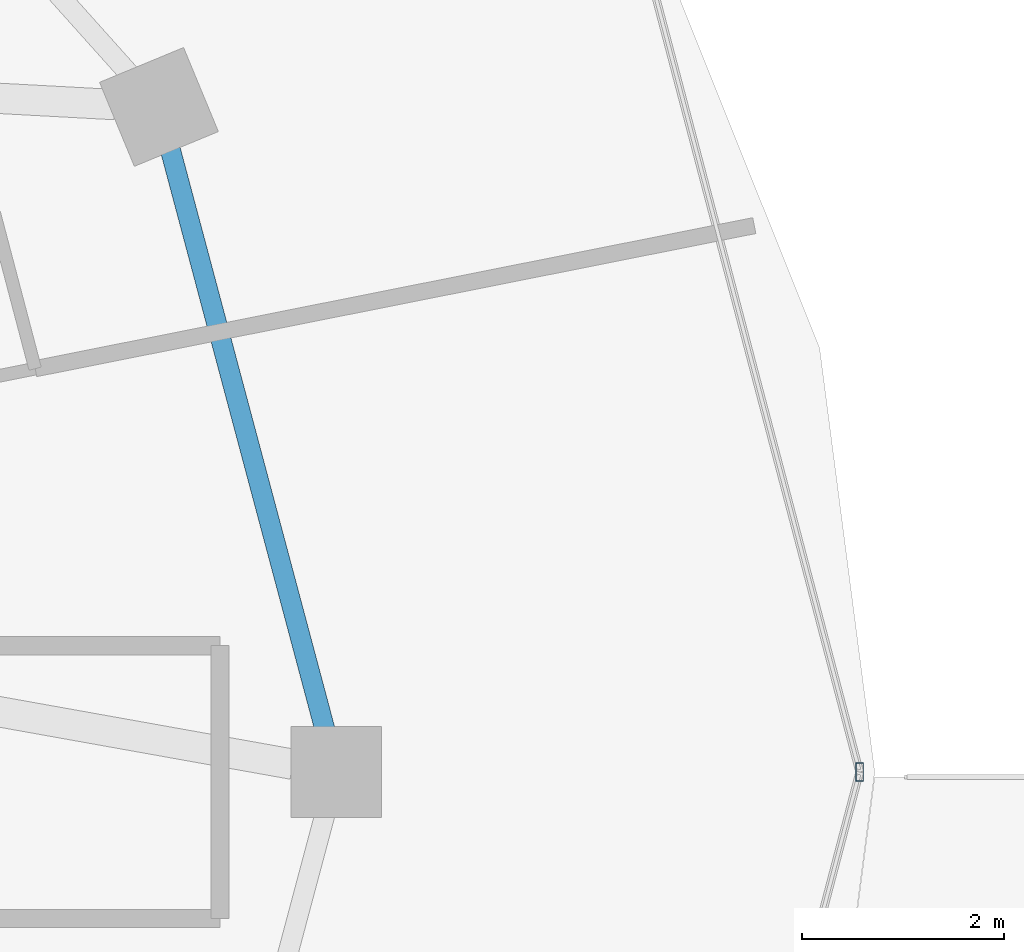
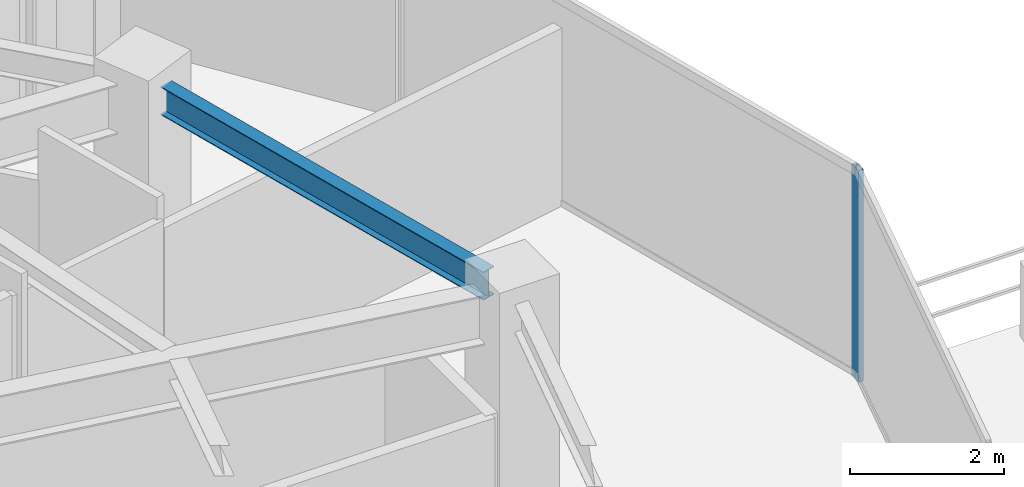
# One storey, part 15 of 34: 1 beam, 1 member, 1 element without a shape of its own.
"""IFC4 building model written with IfcOpenShell, lengths in metres."""

from ifc_helpers import new_model, si_unit, direction, frame, origin, origin_2d, place, context, subcontext, project, spatial, hollow_rectangle, i_section, extrude, material, material_profile, profile_set, type_object, element, aggregate, save


model = new_model("IFC4")

# Units and contexts
model_context = context("Model", 3, precision=1e-05, world=origin(), true_north=direction((0.0, 1.0)))
body_context = subcontext(model_context, "Body", "Model", "MODEL_VIEW")
ifc_project = project(units=[si_unit("LENGTHUNIT", "METRE"), si_unit("AREAUNIT", "SQUARE_METRE"), si_unit("VOLUMEUNIT", "CUBIC_METRE"), si_unit("PLANEANGLEUNIT", "RADIAN"), si_unit("MASSUNIT", "GRAM", prefix="KILO")], contexts=[model_context])

# Site, building, storey
site_placement = place(None, origin())
site = spatial("IfcSite", under=ifc_project, at=site_placement, CompositionType="ELEMENT")
building_placement = place(site_placement, origin())
building = spatial("IfcBuilding", under=site, at=building_placement, Name="Vorneva Point Tower", CompositionType="ELEMENT")
storey_placement = place(building_placement, frame((0.0, 0.0, 210.75)))
storey = spatial("IfcBuildingStorey", under=building, at=storey_placement, Name="L57", CompositionType="ELEMENT", Elevation=210.75)

# Beam
ifc_material_1 = material(Name="Steel S355", Category="steel")
ifc_material_profile_1 = material_profile(ifc_material_1, i_section(OverallWidth=0.198974609375, OverallDepth=0.446044921875, WebThickness=0.008056640625, FlangeThickness=0.011962890625, at=origin_2d()), Name="45B1")
ifc_profile_set_1 = profile_set([ifc_material_profile_1], Name="Steel S355")
beam_type = type_object("IfcBeamType", Name="BM-SPN-45B1", PredefinedType="SPANDREL", material=ifc_profile_set_1)
beam_placement = place(storey_placement, frame((60.93798828125, 26.42041015625, 3.06689453125), z_axis=(-0.257578258003, 0.966257440336, 0.0), x_axis=(-0.966257440336, -0.257578258003, 0.0)))
element("IfcBeam", 1, at=beam_placement, inside=storey, type_object=beam_type, Name="L57 Perimeter Spandrel Ring Beam 01", PredefinedType="SPANDREL", context=body_context, shape_type="SweptSolid", body=[
    extrude(i_section(OverallWidth=0.198974609375, OverallDepth=0.446044921875, WebThickness=0.008056640625, FlangeThickness=0.011962890625, at=origin_2d()), origin(), (0.0, 0.0, 1.0), 5.94189453125),
])

# Curtain wall, member
ifc_material_2 = material(Name="Pale anodised aluminium", Category="aluminium")
curtain_wall_type = type_object("IfcCurtainWallType", Name="CW-RES-SYS", PredefinedType="NOTDEFINED", material=ifc_material_2)
curtain_wall_placement = place(storey_placement, origin())
curtain_wall = element("IfcCurtainWall", 2, at=curtain_wall_placement, inside=storey, type_object=curtain_wall_type, Name="L57 Unitised Curtain Wall CW-L57-R01", PredefinedType="NOTDEFINED")
ifc_material_profile_2 = material_profile(ifc_material_2, hollow_rectangle(XDim=0.074951171875, YDim=0.179931640625, WallThickness=0.00390625, at=origin_2d()), Name="AL-MUL 180x75x4")
ifc_profile_set_2 = profile_set([ifc_material_profile_2], Name="Pale anodised aluminium")
member_type = type_object("IfcMemberType", Name="CW-MUL-180", PredefinedType="MULLION", material=ifc_profile_set_2)
member_placement = place(storey_placement, frame((66.22998046875, 26.0, -0.0400390625), z_axis=(0.0, 0.0, 1.0), x_axis=(1.0, 0.0, 0.0)))
member = element("IfcMember", 3, at=member_placement, type_object=member_type, Name="CW-L57-R01 Mullion 02", PredefinedType="MULLION", context=body_context, shape_type="SweptSolid", body=[
    extrude(hollow_rectangle(XDim=0.074951171875, YDim=0.179931640625, WallThickness=0.00390625, at=origin_2d()), origin(), (0.0, 0.0, 1.0), 3.360107421875),
])
aggregate(curtain_wall, [member])

save(model, "model.ifc")
